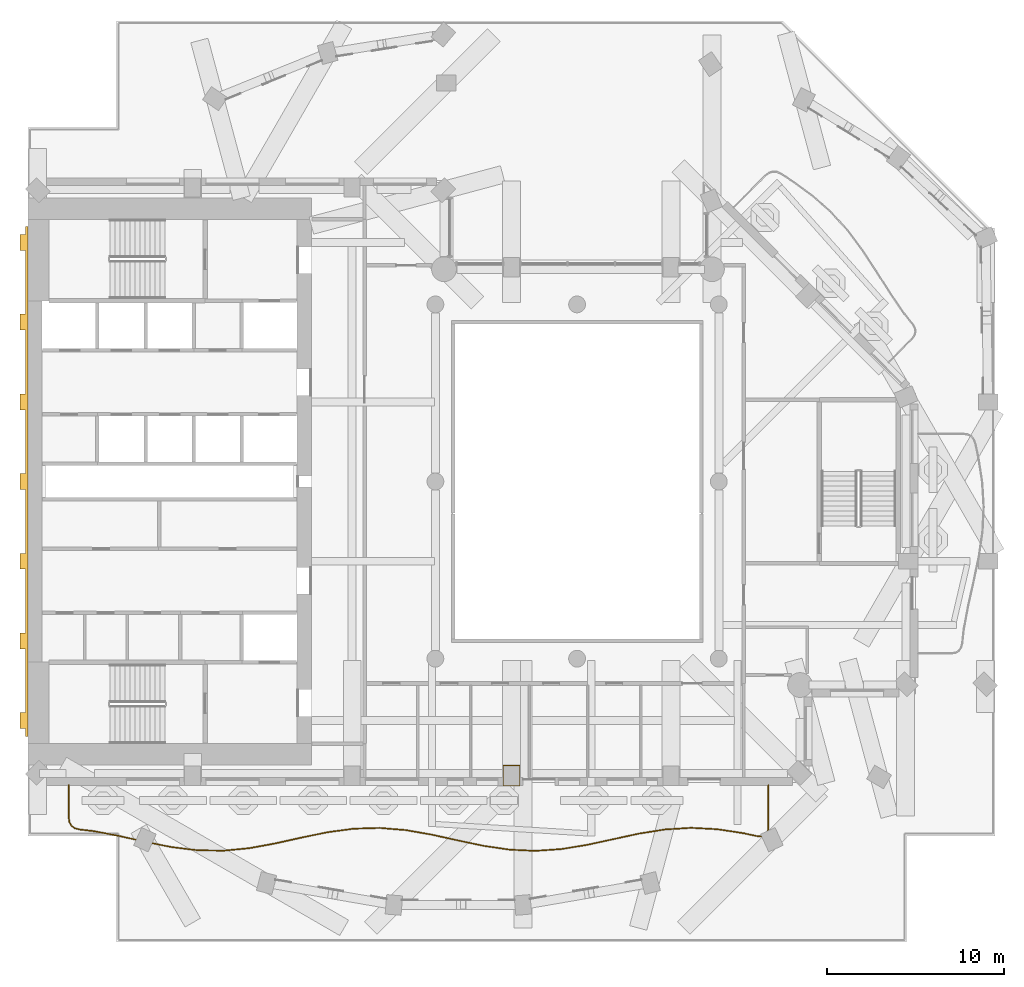
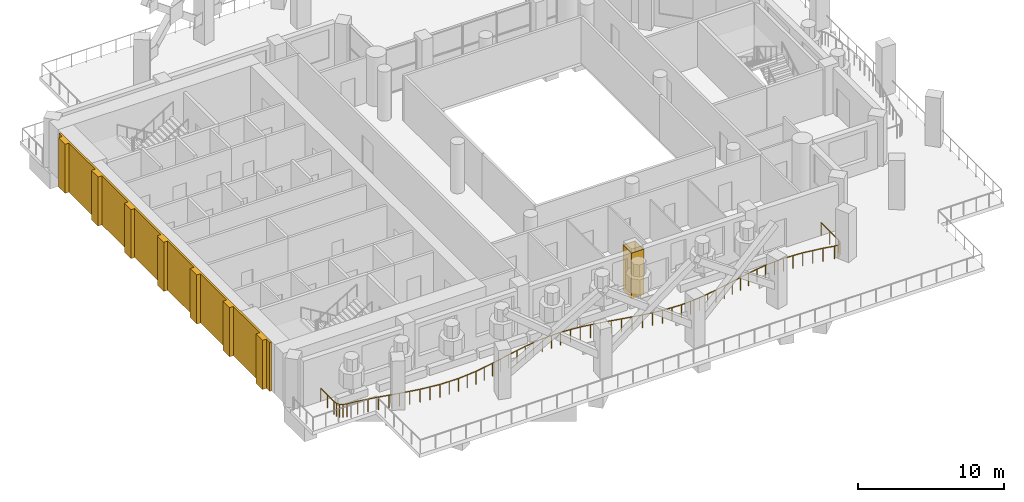
# One storey, part 13 of 18: 2 coverings, 1 railing.
"""IFC4 building model written with IfcOpenShell, lengths in metres."""

import ifcopenshell
import ifcopenshell.guid

model = None  # the IFC model being written
_history = None  # IfcOwnerHistory: only IFC2X3 demands one
_inside = {}  # id of a spatial element -> (the spatial element, [elements in it])
_under = {}  # id of a project, library or spatial element -> (it, [spatial elements below it])
_declared = {}  # id of a project -> (the project, [libraries it declares])
_typed = {}  # id of a type object -> (the type object, [elements of that type])
_made_of = {}  # id of a material, layer set ... -> (it, [elements and type objects made of it])


def new_model(schema):
    """Start an empty IFC model of exactly this schema.

    Asked for "IFC4X3", IfcOpenShell would pick the latest addendum, in which some entities
    have other attributes; the version numbers below select the first issue.
    IFC2X3 requires an IfcOwnerHistory on every rooted entity: one is made here for all.
    """
    global model, _history
    if schema == "IFC4X3":
        model = ifcopenshell.file(schema_version=(4, 3, 0, 0))
    else:
        model = ifcopenshell.file(schema=schema)
    _inside.clear()
    _under.clear()
    _declared.clear()
    _typed.clear()
    _made_of.clear()
    _history = None
    if model.schema == "IFC2X3":
        org = make("IfcOrganization", Name="unknown")
        user = make(
            "IfcPersonAndOrganization",
            ThePerson=make("IfcPerson", FamilyName="unknown"),
            TheOrganization=org,
        )
        app = make(
            "IfcApplication",
            ApplicationDeveloper=org,
            Version="unknown",
            ApplicationFullName="unknown",
            ApplicationIdentifier="unknown",
        )
        _history = make(
            "IfcOwnerHistory",
            OwningUser=user,
            OwningApplication=app,
            ChangeAction="ADDED",
            CreationDate=0,
        )
    return model


def make(cls, **values):
    """One entity of the class cls with the attributes given. An attribute that is None is left unset."""
    return model.create_entity(
        cls, **{name: value for name, value in values.items() if value is not None}
    )


def rooted(cls, **values):
    """An entity with a GlobalId (a new one), such as an element, a storey or a relation."""
    return make(cls, GlobalId=ifcopenshell.guid.new(), OwnerHistory=_history, **values)


def si_unit(unit_type, name, prefix=None):
    """IfcSIUnit, for example si_unit("LENGTHUNIT", "METRE", prefix="MILLI")."""
    return make("IfcSIUnit", UnitType=unit_type, Prefix=prefix, Name=name)


def assignment(units):
    """IfcUnitAssignment: the units of a project."""
    return None if units is None else make("IfcUnitAssignment", Units=units)


def point(xyz):
    """IfcCartesianPoint."""
    return None if xyz is None else make("IfcCartesianPoint", Coordinates=xyz)


def direction(xyz):
    """IfcDirection."""
    return None if xyz is None else make("IfcDirection", DirectionRatios=xyz)


def frame(location, z_axis=None, x_axis=None):
    """IfcAxis2Placement3D, a coordinate frame: its origin and axes. An axis left out is left unset."""
    return make(
        "IfcAxis2Placement3D",
        Location=point(location),
        Axis=direction(z_axis),
        RefDirection=direction(x_axis),
    )


def frame_2d(location, x_axis=None):
    """IfcAxis2Placement2D, a coordinate frame in the plane: its origin and x axis."""
    return make(
        "IfcAxis2Placement2D", Location=point(location), RefDirection=direction(x_axis)
    )


def origin():
    """The frame at (0, 0, 0) with its axes left unset."""
    return frame((0.0, 0.0, 0.0))


def origin_2d():
    """The frame at (0, 0) in the plane with its x axis left unset."""
    return frame_2d((0.0, 0.0))


def place(relative_to, where):
    """IfcLocalPlacement: puts the frame where relative to a parent placement (None: the world)."""
    return make(
        "IfcLocalPlacement", PlacementRelTo=relative_to, RelativePlacement=where
    )


def context(
    kind, dimensions, precision=None, world=None, true_north=None, identifier=None
):
    """IfcGeometricRepresentationContext, for example the 3D "Model" context."""
    return make(
        "IfcGeometricRepresentationContext",
        ContextIdentifier=identifier,
        ContextType=kind,
        CoordinateSpaceDimension=dimensions,
        Precision=precision,
        WorldCoordinateSystem=world,
        TrueNorth=true_north,
    )


def subcontext(parent, identifier, kind, view, scale=None):
    """IfcGeometricRepresentationSubContext, for example "Body" below "Model"."""
    return make(
        "IfcGeometricRepresentationSubContext",
        ContextIdentifier=identifier,
        ContextType=kind,
        ParentContext=parent,
        TargetScale=scale,
        TargetView=view,
    )


def project(units=None, contexts=None):
    """IfcProject with its units and contexts."""
    return rooted(
        "IfcProject",
        Name="project",
        RepresentationContexts=contexts,
        UnitsInContext=assignment(units),
    )


def spatial(cls, under=None, at=None, **own):
    """A site, building, storey or space (cls), placed at a placement, below another one or the project."""
    s = rooted(cls, ObjectPlacement=at, **own)
    if under is not None:
        _under.setdefault(under.id(), (under, []))[1].append(s)
    return s


def polyline(points):
    """IfcPolyline through the points."""
    return make("IfcPolyline", Points=[point(p) for p in points])


def profile(cls, at=None, kind="AREA", **sizes):
    """A parametric profile (cls). Its sizes go by their IFC names, for example OverallWidth=200.0."""
    return make(cls, ProfileType=kind, Position=at, **sizes)


def rectangle(**sizes):
    """IfcRectangleProfileDef."""
    return profile("IfcRectangleProfileDef", **sizes)


def outline(outer, holes=None, kind="AREA"):
    """IfcArbitraryClosedProfileDef: a profile drawn as a closed curve; with holes, ...WithVoids."""
    if holes is None:
        return make("IfcArbitraryClosedProfileDef", ProfileType=kind, OuterCurve=outer)
    return make(
        "IfcArbitraryProfileDefWithVoids",
        ProfileType=kind,
        OuterCurve=outer,
        InnerCurves=holes,
    )


def extrude(swept, where, along, depth):
    """IfcExtrudedAreaSolid: the profile swept, set in the frame where, extruded along a direction by depth."""
    return make(
        "IfcExtrudedAreaSolid",
        SweptArea=swept,
        Position=where,
        ExtrudedDirection=direction(along),
        Depth=depth,
    )


def shape(context_of_items, identifier, shape_type, items):
    """IfcShapeRepresentation: the items that make up one representation, for example the "Body"."""
    return make(
        "IfcShapeRepresentation",
        ContextOfItems=context_of_items,
        RepresentationIdentifier=identifier,
        RepresentationType=shape_type,
        Items=items,
    )


def material(Name=None, Category=None):
    """IfcMaterial."""
    return make("IfcMaterial", Name=Name, Category=Category)


def layer(
    of_material, thickness, ventilated=None, Name=None, Category=None, Priority=None
):
    """IfcMaterialLayer: one layer of a wall or slab, of a material (None: an air gap)."""
    return make(
        "IfcMaterialLayer",
        Material=of_material,
        LayerThickness=thickness,
        IsVentilated=ventilated,
        Name=Name,
        Category=Category,
        Priority=Priority,
    )


def layer_set(layers, Name=None):
    """IfcMaterialLayerSet."""
    return make("IfcMaterialLayerSet", MaterialLayers=layers, LayerSetName=Name)


def made_of(thing, what):
    """Note that an element or type object is made of a material, layer set ...; save() writes the relation."""
    if what is not None:
        _made_of.setdefault(what.id(), (what, []))[1].append(thing)
    return thing


def type_object(cls, material=None, **own):
    """A type object (cls), such as IfcWallType, which elements share."""
    return made_of(rooted(cls, **own), material)


def element(
    cls,
    number,
    at=None,
    inside=None,
    cuts=None,
    type_object=None,
    material=None,
    context=None,
    identifier="Body",
    shape_type=None,
    held_by="IfcProductDefinitionShape",
    body=None,
    shapes=None,
    **own,
):
    """One element of the class cls, such as IfcWall. Its Tag is "e" and its number.

    at: its placement. inside: the storey or other place that contains it. cuts: it is an
    opening in that element (IfcRelVoidsElement). A single representation is given by context,
    identifier, shape_type and body (its items); several are given by shapes. held_by: the class
    of the entity that holds the representations. save() writes the other relations.
    """
    e = rooted(cls, Tag="e%d" % number, ObjectPlacement=at, **own)
    if body is not None:
        shapes = [shape(context, identifier, shape_type, body)]
    if shapes is not None:
        e.Representation = make(held_by, Representations=shapes)
    if inside is not None:
        _inside.setdefault(inside.id(), (inside, []))[1].append(e)
    if cuts is not None:
        rooted(
            "IfcRelVoidsElement", RelatingBuildingElement=cuts, RelatedOpeningElement=e
        )
    if type_object is not None:
        _typed.setdefault(type_object.id(), (type_object, []))[1].append(e)
    return made_of(e, material)


def aggregate(whole, parts):
    """IfcRelAggregates: a whole, such as a stair, and the parts it consists of."""
    return rooted("IfcRelAggregates", RelatingObject=whole, RelatedObjects=parts)


def save(model, path):
    """Write the relations noted so far, then the file.

    IfcRelAggregates (storeys below a building ...), IfcRelContainedInSpatialStructure (elements
    in a storey), IfcRelDefinesByType, IfcRelAssociatesMaterial and IfcRelDeclares: one each for
    every whole, place, type object, material and project.
    """
    for whole, parts in _under.values():
        aggregate(whole, parts)
    for where, things in _inside.values():
        rooted(
            "IfcRelContainedInSpatialStructure",
            RelatedElements=things,
            RelatingStructure=where,
        )
    for kind, things in _typed.values():
        rooted("IfcRelDefinesByType", RelatedObjects=things, RelatingType=kind)
    for what, things in _made_of.values():
        rooted("IfcRelAssociatesMaterial", RelatedObjects=things, RelatingMaterial=what)
    for by, libraries in _declared.values():
        rooted("IfcRelDeclares", RelatingContext=by, RelatedDefinitions=libraries)
    model.write(path)


model = new_model("IFC4")

# Units and contexts
model_context = context("Model", 3, precision=1e-05, world=origin(), true_north=direction((0.0, 1.0)))
body_context = subcontext(model_context, "Body", "Model", "MODEL_VIEW")
ifc_project = project(units=[si_unit("LENGTHUNIT", "METRE"), si_unit("AREAUNIT", "SQUARE_METRE"), si_unit("VOLUMEUNIT", "CUBIC_METRE"), si_unit("PLANEANGLEUNIT", "RADIAN"), si_unit("MASSUNIT", "GRAM", prefix="KILO")], contexts=[model_context])

# Site, building, storey
site_placement = place(None, origin())
site = spatial("IfcSite", under=ifc_project, at=site_placement, CompositionType="ELEMENT")
building_placement = place(site_placement, origin())
building = spatial("IfcBuilding", under=site, at=building_placement, Name="Cypress Arch Tower", CompositionType="ELEMENT")
storey_placement = place(building_placement, frame((0.0, 0.0, 160.5)))
storey = spatial("IfcBuildingStorey", under=building, at=storey_placement, Name="L34", CompositionType="ELEMENT", Elevation=160.5)

# Railing
ifc_material_1 = material(Name="Powder-coated steel posts and rods, 100 mm clear between rods", Category="steel")
railing_type = type_object("IfcRailingType", Name="Balcony guard GR1100", PredefinedType="GUARDRAIL", material=ifc_material_1)
railing_placement = place(storey_placement, frame((11.800048828125, -17.14990234375, 0.0)))
element("IfcRailing", 1, at=railing_placement, inside=storey, type_object=railing_type, Name="Balcony guard L34-B01", PredefinedType="GUARDRAIL", context=body_context, shape_type="SweptSolid", body=[
    extrude(rectangle(XDim=0.050048828125, YDim=0.050048828125, at=origin_2d()), frame((0.0, 0.0, 1.0751953125), z_axis=(0.0, -1.0, 0.0), x_axis=(1.0, 0.0, 0.0)), (0.0, 0.0, 1.0), 2.3876953125),
    extrude(rectangle(XDim=0.050048828125, YDim=0.050048828125, at=origin_2d()), frame((0.0, -2.3876953125, 1.0751953125), z_axis=(-0.14241821201, -0.989806573472, 0.0), x_axis=(0.989806573472, -0.14241821201, 0.0)), (0.0, 0.0, 1.0), 0.274169921875),
    extrude(rectangle(XDim=0.050048828125, YDim=0.050048828125, at=origin_2d()), frame((-0.0390625, -2.6591796875, 1.0751953125), z_axis=(-0.557581900857, -0.830121933114, 0.0), x_axis=(0.830121933114, -0.557581900857, 0.0)), (0.0, 0.0, 1.0), 0.1953125),
    extrude(rectangle(XDim=0.050048828125, YDim=0.050048828125, at=origin_2d()), frame((-0.14794921875, -2.8212890625, 1.0751953125), z_axis=(-0.928562855408, -0.371175192539, 0.0), x_axis=(0.371175192539, -0.928562855408, 0.0)), (0.0, 0.0, 1.0), 0.1953125),
    extrude(rectangle(XDim=0.050048828125, YDim=0.050048828125, at=origin_2d()), frame((-0.329345703125, -2.893798828125, 1.0751953125), z_axis=(-0.997709702118, 0.067641335737, 0.0), x_axis=(-0.067641335737, -0.997709702118, 0.0)), (0.0, 0.0, 1.0), 0.2744140625),
    extrude(rectangle(XDim=0.050048828125, YDim=0.050048828125, at=origin_2d()), frame((-0.60302734375, -2.875244140625, 1.0751953125), z_axis=(-0.977880497771, 0.20916436618, 0.0), x_axis=(-0.20916436618, -0.977880497771, 0.0)), (0.0, 0.0, 1.0), 0.822998046875),
    extrude(rectangle(XDim=0.050048828125, YDim=0.050048828125, at=origin_2d()), frame((-1.40771484375, -2.703125, 1.0751953125), z_axis=(-0.988509795613, 0.151156819153, 0.0), x_axis=(-0.151156819153, -0.988509795613, 0.0)), (0.0, 0.0, 1.0), 1.487548828125),
    extrude(rectangle(XDim=0.050048828125, YDim=0.050048828125, at=origin_2d()), frame((-2.878173828125, -2.478271484375, 1.0751953125), z_axis=(-0.998594861221, 0.052993425471, 0.0), x_axis=(-0.052993425471, -0.998594861221, 0.0)), (0.0, 0.0, 1.0), 1.47412109375),
    extrude(rectangle(XDim=0.050048828125, YDim=0.050048828125, at=origin_2d()), frame((-4.350341796875, -2.400146484375, 1.0751953125), z_axis=(-0.998172432858, -0.060430077624, 0.0), x_axis=(0.060430077624, -0.998172432858, 0.0)), (0.0, 0.0, 1.0), 1.474609375),
    extrude(rectangle(XDim=0.050048828125, YDim=0.050048828125, at=origin_2d()), frame((-5.822265625, -2.4892578125, 1.0751953125), z_axis=(-0.987632303797, -0.156787858258, 0.0), x_axis=(0.156787858258, -0.987632303797, 0.0)), (0.0, 0.0, 1.0), 1.488525390625),
    extrude(rectangle(XDim=0.050048828125, YDim=0.050048828125, at=origin_2d()), frame((-7.29248046875, -2.72265625, 1.0751953125), z_axis=(-0.977458604359, -0.211127157809, 0.0), x_axis=(0.211127157809, -0.977458604359, 0.0)), (0.0, 0.0, 1.0), 1.502197265625),
    extrude(rectangle(XDim=0.050048828125, YDim=0.050048828125, at=origin_2d()), frame((-8.7607421875, -3.039794921875, 1.0751953125), z_axis=(-0.977033633982, -0.213085142766, 0.0), x_axis=(0.213085142766, -0.977033633982, 0.0)), (0.0, 0.0, 1.0), 1.499755859375),
    extrude(rectangle(XDim=0.050048828125, YDim=0.050048828125, at=origin_2d()), frame((-10.22607421875, -3.359375, 1.0751953125), z_axis=(-0.986787127177, -0.162022114657, 0.0), x_axis=(0.162022114657, -0.986787127177, 0.0)), (0.0, 0.0, 1.0), 1.482666015625),
    extrude(rectangle(XDim=0.050048828125, YDim=0.050048828125, at=origin_2d()), frame((-11.689208984375, -3.599609375, 1.0751953125), z_axis=(-0.99768523487, -0.068001265591, 0.0), x_axis=(0.068001265591, -0.99768523487, 0.0)), (0.0, 0.0, 1.0), 1.46484375),
    extrude(rectangle(XDim=0.050048828125, YDim=0.050048828125, at=origin_2d()), frame((-13.150634765625, -3.69921875, 1.0751953125), z_axis=(-0.99896888433, 0.045400089647, 0.0), x_axis=(-0.045400089647, -0.99896888433, 0.0)), (0.0, 0.0, 1.0), 1.462646484375),
    extrude(rectangle(XDim=0.050048828125, YDim=0.050048828125, at=origin_2d()), frame((-14.61181640625, -3.6328125, 1.0751953125), z_axis=(-0.989336051281, 0.145650875852, 0.0), x_axis=(-0.145650875852, -0.989336051281, 0.0)), (0.0, 0.0, 1.0), 1.478515625),
    extrude(rectangle(XDim=0.050048828125, YDim=0.050048828125, at=origin_2d()), frame((-16.074462890625, -3.41748046875, 1.0751953125), z_axis=(-0.978397290399, 0.20673350512, 0.0), x_axis=(-0.20673350512, -0.978397290399, 0.0)), (0.0, 0.0, 1.0), 1.49755859375),
    extrude(rectangle(XDim=0.050048828125, YDim=0.050048828125, at=origin_2d()), frame((-17.53955078125, -3.10791015625, 1.0751953125), z_axis=(-0.976385392189, 0.216036029215, 0.0), x_axis=(-0.216036029215, -0.976385392189, 0.0)), (0.0, 0.0, 1.0), 1.5029296875),
    extrude(rectangle(XDim=0.050048828125, YDim=0.050048828125, at=origin_2d()), frame((-19.007080078125, -2.783203125, 1.0751953125), z_axis=(-0.985132393192, 0.171796879729, 0.0), x_axis=(-0.171796879729, -0.985132393192, 0.0)), (0.0, 0.0, 1.0), 1.4921875),
    extrude(rectangle(XDim=0.050048828125, YDim=0.050048828125, at=origin_2d()), frame((-20.47705078125, -2.52685546875, 1.0751953125), z_axis=(-0.996577609389, 0.082662376359, 0.0), x_axis=(-0.082662376359, -0.996577609389, 0.0)), (0.0, 0.0, 1.0), 1.476806640625),
    extrude(rectangle(XDim=0.050048828125, YDim=0.050048828125, at=origin_2d()), frame((-21.94873046875, -2.40478515625, 1.0751953125), z_axis=(-0.999549806544, -0.030003070478, 0.0), x_axis=(0.030003070478, -0.999549806544, 0.0)), (0.0, 0.0, 1.0), 1.472900390625),
    extrude(rectangle(XDim=0.050048828125, YDim=0.050048828125, at=origin_2d()), frame((-23.4208984375, -2.448974609375, 1.0751953125), z_axis=(-0.990996559657, -0.133887336027, 0.0), x_axis=(0.133887336027, -0.990996559657, 0.0)), (0.0, 0.0, 1.0), 1.484375),
    extrude(rectangle(XDim=0.050048828125, YDim=0.050048828125, at=origin_2d()), frame((-24.891845703125, -2.647705078125, 1.0751953125), z_axis=(-0.979540195224, -0.201248617237, 0.0), x_axis=(0.201248617237, -0.979540195224, 0.0)), (0.0, 0.0, 1.0), 1.49951171875),
    extrude(rectangle(XDim=0.050048828125, YDim=0.050048828125, at=origin_2d()), frame((-26.360595703125, -2.949462890625, 1.0751953125), z_axis=(-0.975960909648, -0.217945641938, 0.0), x_axis=(0.217945641938, -0.975960909648, 0.0)), (0.0, 0.0, 1.0), 1.502197265625),
    extrude(rectangle(XDim=0.050048828125, YDim=0.050048828125, at=origin_2d()), frame((-27.82666015625, -3.27685546875, 1.0751953125), z_axis=(-0.983492392997, -0.180949476143, 0.0), x_axis=(0.180949476143, -0.983492392997, 0.0)), (0.0, 0.0, 1.0), 1.48828125),
    extrude(rectangle(XDim=0.050048828125, YDim=0.050048828125, at=origin_2d()), frame((-29.290283203125, -3.546142578125, 1.0751953125), z_axis=(-0.995309829506, -0.096738530523, 0.0), x_axis=(0.096738530523, -0.995309829506, 0.0)), (0.0, 0.0, 1.0), 1.46875),
    extrude(rectangle(XDim=0.050048828125, YDim=0.050048828125, at=origin_2d()), frame((-30.752197265625, -3.688232421875, 1.0751953125), z_axis=(-0.999896778218, 0.014367773254, 0.0), x_axis=(-0.014367773254, -0.999896778218, 0.0)), (0.0, 0.0, 1.0), 1.46142578125),
    extrude(rectangle(XDim=0.050048828125, YDim=0.050048828125, at=origin_2d()), frame((-32.21337890625, -3.667236328125, 1.0751953125), z_axis=(-0.99261329613, 0.121321244409, 0.0), x_axis=(-0.121321244409, -0.99261329613, 0.0)), (0.0, 0.0, 1.0), 1.47314453125),
    extrude(rectangle(XDim=0.050048828125, YDim=0.050048828125, at=origin_2d()), frame((-33.675537109375, -3.488525390625, 1.0751953125), z_axis=(-0.980812730186, 0.194952271866, 0.0), x_axis=(-0.194952271866, -0.980812730186, 0.0)), (0.0, 0.0, 1.0), 1.49267578125),
    extrude(rectangle(XDim=0.050048828125, YDim=0.050048828125, at=origin_2d()), frame((-35.1396484375, -3.197509765625, 1.0751953125), z_axis=(-0.975741746355, 0.21892474602, 0.0), x_axis=(-0.21892474602, -0.975741746355, 0.0)), (0.0, 0.0, 1.0), 1.503173828125),
    extrude(rectangle(XDim=0.050048828125, YDim=0.050048828125, at=origin_2d()), frame((-36.6064453125, -2.868408203125, 1.0751953125), z_axis=(-0.98199131593, 0.188926058124, 0.0), x_axis=(-0.188926058124, -0.98199131593, 0.0)), (0.0, 0.0, 1.0), 1.496337890625),
    extrude(rectangle(XDim=0.050048828125, YDim=0.050048828125, at=origin_2d()), frame((-38.075927734375, -2.585693359375, 1.0751953125), z_axis=(-0.99389842655, 0.110299218956, 0.0), x_axis=(-0.110299218956, -0.99389842655, 0.0)), (0.0, 0.0, 1.0), 0.81005859375),
    extrude(rectangle(XDim=0.050048828125, YDim=0.050048828125, at=origin_2d()), frame((-38.881103515625, -2.496337890625, 1.0751953125), z_axis=(-0.968922075649, 0.247366148289, 0.0), x_axis=(-0.247366148289, -0.968922075649, 0.0)), (0.0, 0.0, 1.0), 0.28515625),
    extrude(rectangle(XDim=0.050048828125, YDim=0.050048828125, at=origin_2d()), frame((-39.157470703125, -2.42578125, 1.0751953125), z_axis=(-0.813379209014, 0.581733841498, 0.0), x_axis=(-0.581733841498, -0.813379209014, 0.0)), (0.0, 0.0, 1.0), 0.23291015625),
    extrude(rectangle(XDim=0.050048828125, YDim=0.050048828125, at=origin_2d()), frame((-39.346923828125, -2.290283203125, 1.0751953125), z_axis=(-0.488667231334, 0.872470249935, 0.0), x_axis=(-0.872470249935, -0.488667231334, 0.0)), (0.0, 0.0, 1.0), 0.23291015625),
    extrude(rectangle(XDim=0.050048828125, YDim=0.050048828125, at=origin_2d()), frame((-39.460693359375, -2.087158203125, 1.0751953125), z_axis=(-0.137824988996, 0.990456597943, 0.0), x_axis=(-0.990456597943, -0.137824988996, 0.0)), (0.0, 0.0, 1.0), 0.28515625),
    extrude(rectangle(XDim=0.050048828125, YDim=0.050048828125, at=origin_2d()), frame((-39.5, -1.8046875, 1.0751953125), z_axis=(0.0, 1.0, 0.0), x_axis=(-1.0, 0.0, 0.0)), (0.0, 0.0, 1.0), 1.8046875),
    extrude(rectangle(XDim=0.0400390625, YDim=0.0400390625, at=origin_2d()), origin(), (0.0, 0.0, 1.0), 1.050048828125),
    extrude(rectangle(XDim=0.0400390625, YDim=0.0400390625, at=origin_2d()), frame((0.0, -1.19384765625, 0.0)), (0.0, 0.0, 1.0), 1.050048828125),
    extrude(rectangle(XDim=0.0400390625, YDim=0.0400390625, at=origin_2d()), frame((0.0, -2.3876953125, 0.0)), (0.0, 0.0, 1.0), 1.050048828125),
    extrude(rectangle(XDim=0.0400390625, YDim=0.0400390625, at=origin_2d()), frame((-0.0390625, -2.6591796875, 0.0)), (0.0, 0.0, 1.0), 1.050048828125),
    extrude(rectangle(XDim=0.0400390625, YDim=0.0400390625, at=origin_2d()), frame((-0.14794921875, -2.8212890625, 0.0)), (0.0, 0.0, 1.0), 1.050048828125),
    extrude(rectangle(XDim=0.0400390625, YDim=0.0400390625, at=origin_2d()), frame((-0.329345703125, -2.893798828125, 0.0)), (0.0, 0.0, 1.0), 1.050048828125),
    extrude(rectangle(XDim=0.0400390625, YDim=0.0400390625, at=origin_2d()), frame((-0.60302734375, -2.875244140625, 0.0)), (0.0, 0.0, 1.0), 1.050048828125),
    extrude(rectangle(XDim=0.0400390625, YDim=0.0400390625, at=origin_2d()), frame((-1.40771484375, -2.703125, 0.0)), (0.0, 0.0, 1.0), 1.050048828125),
    extrude(rectangle(XDim=0.0400390625, YDim=0.0400390625, at=origin_2d()), frame((-2.14306640625, -2.5908203125, 0.0)), (0.0, 0.0, 1.0), 1.050048828125),
    extrude(rectangle(XDim=0.0400390625, YDim=0.0400390625, at=origin_2d()), frame((-2.878173828125, -2.478271484375, 0.0)), (0.0, 0.0, 1.0), 1.050048828125),
    extrude(rectangle(XDim=0.0400390625, YDim=0.0400390625, at=origin_2d()), frame((-3.6142578125, -2.439208984375, 0.0)), (0.0, 0.0, 1.0), 1.050048828125),
    extrude(rectangle(XDim=0.0400390625, YDim=0.0400390625, at=origin_2d()), frame((-4.350341796875, -2.400146484375, 0.0)), (0.0, 0.0, 1.0), 1.050048828125),
    extrude(rectangle(XDim=0.0400390625, YDim=0.0400390625, at=origin_2d()), frame((-5.08642578125, -2.44482421875, 0.0)), (0.0, 0.0, 1.0), 1.050048828125),
    extrude(rectangle(XDim=0.0400390625, YDim=0.0400390625, at=origin_2d()), frame((-5.822265625, -2.4892578125, 0.0)), (0.0, 0.0, 1.0), 1.050048828125),
    extrude(rectangle(XDim=0.0400390625, YDim=0.0400390625, at=origin_2d()), frame((-6.557373046875, -2.60595703125, 0.0)), (0.0, 0.0, 1.0), 1.050048828125),
    extrude(rectangle(XDim=0.0400390625, YDim=0.0400390625, at=origin_2d()), frame((-7.29248046875, -2.72265625, 0.0)), (0.0, 0.0, 1.0), 1.050048828125),
    extrude(rectangle(XDim=0.0400390625, YDim=0.0400390625, at=origin_2d()), frame((-8.026611328125, -2.88134765625, 0.0)), (0.0, 0.0, 1.0), 1.050048828125),
    extrude(rectangle(XDim=0.0400390625, YDim=0.0400390625, at=origin_2d()), frame((-8.7607421875, -3.039794921875, 0.0)), (0.0, 0.0, 1.0), 1.050048828125),
    extrude(rectangle(XDim=0.0400390625, YDim=0.0400390625, at=origin_2d()), frame((-9.493408203125, -3.19970703125, 0.0)), (0.0, 0.0, 1.0), 1.050048828125),
    extrude(rectangle(XDim=0.0400390625, YDim=0.0400390625, at=origin_2d()), frame((-10.22607421875, -3.359375, 0.0)), (0.0, 0.0, 1.0), 1.050048828125),
    extrude(rectangle(XDim=0.0400390625, YDim=0.0400390625, at=origin_2d()), frame((-10.95751953125, -3.4794921875, 0.0)), (0.0, 0.0, 1.0), 1.050048828125),
    extrude(rectangle(XDim=0.0400390625, YDim=0.0400390625, at=origin_2d()), frame((-11.689208984375, -3.599609375, 0.0)), (0.0, 0.0, 1.0), 1.050048828125),
    extrude(rectangle(XDim=0.0400390625, YDim=0.0400390625, at=origin_2d()), frame((-12.419921875, -3.6494140625, 0.0)), (0.0, 0.0, 1.0), 1.050048828125),
    extrude(rectangle(XDim=0.0400390625, YDim=0.0400390625, at=origin_2d()), frame((-13.150634765625, -3.69921875, 0.0)), (0.0, 0.0, 1.0), 1.050048828125),
    extrude(rectangle(XDim=0.0400390625, YDim=0.0400390625, at=origin_2d()), frame((-13.88134765625, -3.666015625, 0.0)), (0.0, 0.0, 1.0), 1.050048828125),
    extrude(rectangle(XDim=0.0400390625, YDim=0.0400390625, at=origin_2d()), frame((-14.61181640625, -3.6328125, 0.0)), (0.0, 0.0, 1.0), 1.050048828125),
    extrude(rectangle(XDim=0.0400390625, YDim=0.0400390625, at=origin_2d()), frame((-15.34326171875, -3.525146484375, 0.0)), (0.0, 0.0, 1.0), 1.050048828125),
    extrude(rectangle(XDim=0.0400390625, YDim=0.0400390625, at=origin_2d()), frame((-16.074462890625, -3.41748046875, 0.0)), (0.0, 0.0, 1.0), 1.050048828125),
    extrude(rectangle(XDim=0.0400390625, YDim=0.0400390625, at=origin_2d()), frame((-16.80712890625, -3.2626953125, 0.0)), (0.0, 0.0, 1.0), 1.050048828125),
    extrude(rectangle(XDim=0.0400390625, YDim=0.0400390625, at=origin_2d()), frame((-17.53955078125, -3.10791015625, 0.0)), (0.0, 0.0, 1.0), 1.050048828125),
    extrude(rectangle(XDim=0.0400390625, YDim=0.0400390625, at=origin_2d()), frame((-18.2734375, -2.945556640625, 0.0)), (0.0, 0.0, 1.0), 1.050048828125),
    extrude(rectangle(XDim=0.0400390625, YDim=0.0400390625, at=origin_2d()), frame((-19.007080078125, -2.783203125, 0.0)), (0.0, 0.0, 1.0), 1.050048828125),
    extrude(rectangle(XDim=0.0400390625, YDim=0.0400390625, at=origin_2d()), frame((-19.7421875, -2.655029296875, 0.0)), (0.0, 0.0, 1.0), 1.050048828125),
    extrude(rectangle(XDim=0.0400390625, YDim=0.0400390625, at=origin_2d()), frame((-20.47705078125, -2.52685546875, 0.0)), (0.0, 0.0, 1.0), 1.050048828125),
    extrude(rectangle(XDim=0.0400390625, YDim=0.0400390625, at=origin_2d()), frame((-21.212890625, -2.4658203125, 0.0)), (0.0, 0.0, 1.0), 1.050048828125),
    extrude(rectangle(XDim=0.0400390625, YDim=0.0400390625, at=origin_2d()), frame((-21.94873046875, -2.40478515625, 0.0)), (0.0, 0.0, 1.0), 1.050048828125),
    extrude(rectangle(XDim=0.0400390625, YDim=0.0400390625, at=origin_2d()), frame((-22.684814453125, -2.4267578125, 0.0)), (0.0, 0.0, 1.0), 1.050048828125),
    extrude(rectangle(XDim=0.0400390625, YDim=0.0400390625, at=origin_2d()), frame((-23.4208984375, -2.448974609375, 0.0)), (0.0, 0.0, 1.0), 1.050048828125),
    extrude(rectangle(XDim=0.0400390625, YDim=0.0400390625, at=origin_2d()), frame((-24.15625, -2.54833984375, 0.0)), (0.0, 0.0, 1.0), 1.050048828125),
    extrude(rectangle(XDim=0.0400390625, YDim=0.0400390625, at=origin_2d()), frame((-24.891845703125, -2.647705078125, 0.0)), (0.0, 0.0, 1.0), 1.050048828125),
    extrude(rectangle(XDim=0.0400390625, YDim=0.0400390625, at=origin_2d()), frame((-25.626220703125, -2.798583984375, 0.0)), (0.0, 0.0, 1.0), 1.050048828125),
    extrude(rectangle(XDim=0.0400390625, YDim=0.0400390625, at=origin_2d()), frame((-26.360595703125, -2.949462890625, 0.0)), (0.0, 0.0, 1.0), 1.050048828125),
    extrude(rectangle(XDim=0.0400390625, YDim=0.0400390625, at=origin_2d()), frame((-27.09375, -3.11328125, 0.0)), (0.0, 0.0, 1.0), 1.050048828125),
    extrude(rectangle(XDim=0.0400390625, YDim=0.0400390625, at=origin_2d()), frame((-27.82666015625, -3.27685546875, 0.0)), (0.0, 0.0, 1.0), 1.050048828125),
    extrude(rectangle(XDim=0.0400390625, YDim=0.0400390625, at=origin_2d()), frame((-28.55859375, -3.41162109375, 0.0)), (0.0, 0.0, 1.0), 1.050048828125),
    extrude(rectangle(XDim=0.0400390625, YDim=0.0400390625, at=origin_2d()), frame((-29.290283203125, -3.546142578125, 0.0)), (0.0, 0.0, 1.0), 1.050048828125),
    extrude(rectangle(XDim=0.0400390625, YDim=0.0400390625, at=origin_2d()), frame((-30.021240234375, -3.6171875, 0.0)), (0.0, 0.0, 1.0), 1.050048828125),
    extrude(rectangle(XDim=0.0400390625, YDim=0.0400390625, at=origin_2d()), frame((-30.752197265625, -3.688232421875, 0.0)), (0.0, 0.0, 1.0), 1.050048828125),
    extrude(rectangle(XDim=0.0400390625, YDim=0.0400390625, at=origin_2d()), frame((-31.48291015625, -3.677734375, 0.0)), (0.0, 0.0, 1.0), 1.050048828125),
    extrude(rectangle(XDim=0.0400390625, YDim=0.0400390625, at=origin_2d()), frame((-32.21337890625, -3.667236328125, 0.0)), (0.0, 0.0, 1.0), 1.050048828125),
    extrude(rectangle(XDim=0.0400390625, YDim=0.0400390625, at=origin_2d()), frame((-32.9443359375, -3.577880859375, 0.0)), (0.0, 0.0, 1.0), 1.050048828125),
    extrude(rectangle(XDim=0.0400390625, YDim=0.0400390625, at=origin_2d()), frame((-33.675537109375, -3.488525390625, 0.0)), (0.0, 0.0, 1.0), 1.050048828125),
    extrude(rectangle(XDim=0.0400390625, YDim=0.0400390625, at=origin_2d()), frame((-34.40771484375, -3.343017578125, 0.0)), (0.0, 0.0, 1.0), 1.050048828125),
    extrude(rectangle(XDim=0.0400390625, YDim=0.0400390625, at=origin_2d()), frame((-35.1396484375, -3.197509765625, 0.0)), (0.0, 0.0, 1.0), 1.050048828125),
    extrude(rectangle(XDim=0.0400390625, YDim=0.0400390625, at=origin_2d()), frame((-35.873046875, -3.032958984375, 0.0)), (0.0, 0.0, 1.0), 1.050048828125),
    extrude(rectangle(XDim=0.0400390625, YDim=0.0400390625, at=origin_2d()), frame((-36.6064453125, -2.868408203125, 0.0)), (0.0, 0.0, 1.0), 1.050048828125),
    extrude(rectangle(XDim=0.0400390625, YDim=0.0400390625, at=origin_2d()), frame((-37.34130859375, -2.72705078125, 0.0)), (0.0, 0.0, 1.0), 1.050048828125),
    extrude(rectangle(XDim=0.0400390625, YDim=0.0400390625, at=origin_2d()), frame((-38.075927734375, -2.585693359375, 0.0)), (0.0, 0.0, 1.0), 1.050048828125),
    extrude(rectangle(XDim=0.0400390625, YDim=0.0400390625, at=origin_2d()), frame((-38.881103515625, -2.496337890625, 0.0)), (0.0, 0.0, 1.0), 1.050048828125),
    extrude(rectangle(XDim=0.0400390625, YDim=0.0400390625, at=origin_2d()), frame((-39.157470703125, -2.42578125, 0.0)), (0.0, 0.0, 1.0), 1.050048828125),
    extrude(rectangle(XDim=0.0400390625, YDim=0.0400390625, at=origin_2d()), frame((-39.346923828125, -2.290283203125, 0.0)), (0.0, 0.0, 1.0), 1.050048828125),
    extrude(rectangle(XDim=0.0400390625, YDim=0.0400390625, at=origin_2d()), frame((-39.460693359375, -2.087158203125, 0.0)), (0.0, 0.0, 1.0), 1.050048828125),
    extrude(rectangle(XDim=0.0400390625, YDim=0.0400390625, at=origin_2d()), frame((-39.5, -1.8046875, 0.0)), (0.0, 0.0, 1.0), 1.050048828125),
    extrude(rectangle(XDim=0.0400390625, YDim=0.0400390625, at=origin_2d()), frame((-39.5, -0.90234375, 0.0)), (0.0, 0.0, 1.0), 1.050048828125),
    extrude(rectangle(XDim=0.0400390625, YDim=0.0400390625, at=origin_2d()), frame((-39.5, 0.0, 0.0)), (0.0, 0.0, 1.0), 1.050048828125),
])

# Coverings
ifc_material_2 = material(Name="Painted plasterboard column casing")
ifc_layer_1 = layer(ifc_material_2, 0.0400390625)
ifc_layer_set_1 = layer_set([ifc_layer_1], Name="Column casing CK40")
covering_type_1 = type_object("IfcCoveringType", Name="Column casing CK40", PredefinedType="CLADDING", material=ifc_layer_set_1)
covering_1_placement = place(storey_placement, origin())
element("IfcCovering", 2, at=covering_1_placement, inside=storey, type_object=covering_type_1, Name="Column casing L34 CB04", PredefinedType="CLADDING", context=body_context, shape_type="SweptSolid", body=[
    extrude(outline(polyline([(-3.18994140625, -17.18994140625), (-3.18994140625, -16.010009765625), (-2.2099609375, -16.010009765625), (-2.2099609375, -17.18994140625), (-3.18994140625, -17.18994140625)]), holes=[polyline([(-3.14990234375, -17.14990234375), (-2.25, -17.14990234375), (-2.25, -16.050048828125), (-3.14990234375, -16.050048828125), (-3.14990234375, -17.14990234375)])]), origin(), (0.0, 0.0, 1.0), 3.800048828125),
])
ifc_material_3 = material(Name="Brick (red buff blend)", Category="masonry")
ifc_layer_2 = layer(ifc_material_3, 0.449951171875)
ifc_layer_set_2 = layer_set([ifc_layer_2], Name="West face brick piers WP450")
covering_type_2 = type_object("IfcCoveringType", Name="West face brick piers WP450", PredefinedType="CLADDING", material=ifc_layer_set_2)
covering_2_placement = place(storey_placement, origin())
element("IfcCovering", 3, at=covering_2_placement, inside=storey, type_object=covering_type_2, Name="West face brick piers L34", PredefinedType="CLADDING", context=body_context, shape_type="SweptSolid", body=[
    extrude(outline(polyline([(-30.14990234375, -13.050048828125), (-30.14990234375, -9.449951171875), (-30.449951171875, -9.449951171875), (-30.449951171875, -8.550048828125), (-30.14990234375, -8.550048828125), (-30.14990234375, -4.949951171875), (-30.449951171875, -4.949951171875), (-30.449951171875, -4.050048828125), (-30.14990234375, -4.050048828125), (-30.14990234375, -0.449951171875), (-30.449951171875, -0.449951171875), (-30.449951171875, 0.449951171875), (-30.14990234375, 0.449951171875), (-30.14990234375, 4.050048828125), (-30.449951171875, 4.050048828125), (-30.449951171875, 4.949951171875), (-30.14990234375, 4.949951171875), (-30.14990234375, 8.550048828125), (-30.449951171875, 8.550048828125), (-30.449951171875, 9.449951171875), (-30.14990234375, 9.449951171875), (-30.14990234375, 13.050048828125), (-30.449951171875, 13.050048828125), (-30.449951171875, 13.949951171875), (-30.14990234375, 13.949951171875), (-30.14990234375, 14.39990234375), (-30.0, 14.39990234375), (-30.0, -14.39990234375), (-30.14990234375, -14.39990234375), (-30.14990234375, -13.949951171875), (-30.449951171875, -13.949951171875), (-30.449951171875, -13.050048828125), (-30.14990234375, -13.050048828125)])), origin(), (0.0, 0.0, 1.0), 4.10009765625),
])

save(model, "model.ifc")
